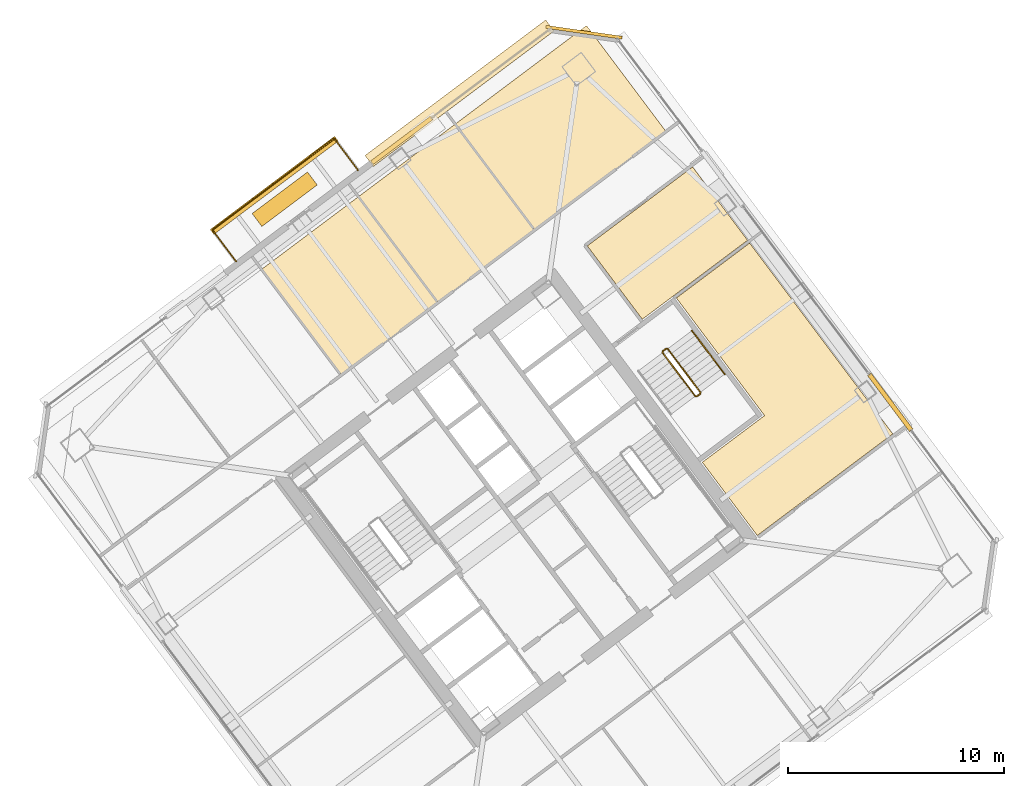
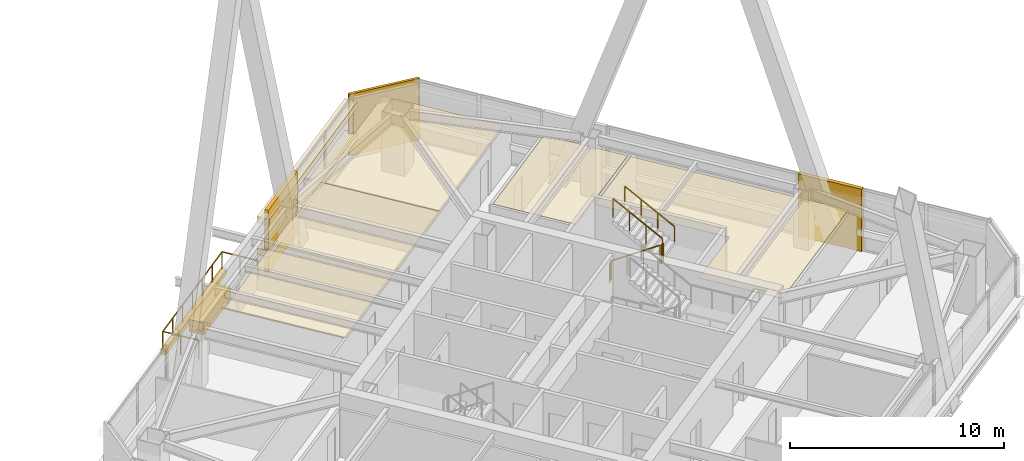
# One storey, part 54 of 55: 12 coverings, 8 railings.
"""IFC4 building model written with IfcOpenShell, lengths in metres."""

from ifc_helpers import new_model, si_unit, direction, frame, origin, origin_2d, place, context, subcontext, project, spatial, polyline, rectangle, outline, extrude, material, layer, layer_set, type_object, element, save


model = new_model("IFC4")

# Units and contexts
model_context = context("Model", 3, precision=1e-05, world=origin(), true_north=direction((0.0, 1.0)))
body_context = subcontext(model_context, "Body", "Model", "MODEL_VIEW")
ifc_project = project(units=[si_unit("LENGTHUNIT", "METRE"), si_unit("AREAUNIT", "SQUARE_METRE"), si_unit("VOLUMEUNIT", "CUBIC_METRE"), si_unit("PLANEANGLEUNIT", "RADIAN"), si_unit("MASSUNIT", "GRAM", prefix="KILO")], contexts=[model_context])

# Site, building, storey
site_placement = place(None, origin())
site = spatial("IfcSite", under=ifc_project, at=site_placement, CompositionType="ELEMENT")
building_placement = place(site_placement, origin())
building = spatial("IfcBuilding", under=site, at=building_placement, Name="Tashvorn Skyway Center", CompositionType="ELEMENT")
storey_placement = place(building_placement, frame((0.0, 0.0, 178.300048828125)))
storey = spatial("IfcBuildingStorey", under=building, at=storey_placement, Name="L48", CompositionType="ELEMENT", Elevation=178.300048828125)

# Coverings
ifc_material_1 = material(Name="Precast concrete C40/50", Category="concrete")
ifc_layer_1 = layer(ifc_material_1, 0.199951171875)
ifc_layer_set_1 = layer_set([ifc_layer_1], Name="Precast concrete C40/50")
covering_type_1 = type_object("IfcCoveringType", Name="COV-BRACE-CLAD", PredefinedType="CLADDING", material=ifc_layer_set_1)
covering_1_placement = place(storey_placement, frame((108.709228515625, 49.007080078125, 0.0), z_axis=(0.0, 0.0, 1.0), x_axis=(0.799999996291, 0.600000004945, 0.0)))
element("IfcCovering", 1, at=covering_1_placement, inside=storey, type_object=covering_type_1, Name="Tower 2 L48 North Curtain Wall R Mega-Brace Cladding Band 1", PredefinedType="CLADDING", context=body_context, shape_type="SweptSolid", body=[
    extrude(rectangle(XDim=3.443359375, YDim=0.199951171875, at=origin_2d()), origin(), (0.0, 0.0, 1.0), 3.550048828125),
])
covering_2_placement = place(storey_placement, frame((131.31201171875, 36.884033203125, 0.0), z_axis=(0.0, 0.0, 1.0), x_axis=(0.600000004945, -0.799999996291, 0.0)))
element("IfcCovering", 2, at=covering_2_placement, inside=storey, type_object=covering_type_1, Name="Tower 2 L48 East Unitised Curtain Wall Mega-Brace Cladding Band 2", PredefinedType="CLADDING", context=body_context, shape_type="SweptSolid", body=[
    extrude(rectangle(XDim=3.239990234375, YDim=0.199951171875, at=origin_2d()), origin(), (0.0, 0.0, 1.0), 3.550048828125),
])
ifc_material_2 = material(Name="Mineral-fibre acoustic ceiling tile on suspended grid")
ifc_layer_2 = layer(ifc_material_2, 0.02001953125)
ifc_layer_set_2 = layer_set([ifc_layer_2], Name="Mineral-fibre acoustic ceiling tile on suspended grid")
covering_type_2 = type_object("IfcCoveringType", Name="COV-CEIL-20", PredefinedType="CEILING", material=ifc_layer_set_2)
covering_3_placement = place(storey_placement, frame((0.0, 0.0, 2.702880859375)))
element("IfcCovering", 3, at=covering_3_placement, inside=storey, type_object=covering_type_2, Name="Tower 2 L48 Reading Lounge Acoustic Ceiling", PredefinedType="CEILING", context=body_context, shape_type="SweptSolid", body=[
    extrude(outline(polyline([(105.89794921875, 38.135986328125), (110.3779296875, 41.49609375), (106.699951171875, 46.39990234375), (102.219970703125, 43.0400390625), (105.89794921875, 38.135986328125)])), origin(), (0.0, 0.0, 1.0), 0.02001953125),
])
covering_4_placement = place(storey_placement, frame((0.0, 0.0, 2.702880859375)))
element("IfcCovering", 4, at=covering_4_placement, inside=storey, type_object=covering_type_2, Name="Tower 2 L48 Research Library Acoustic Ceiling", PredefinedType="CEILING", context=body_context, shape_type="SweptSolid", body=[
    extrude(outline(polyline([(110.3779296875, 41.49609375), (114.85791015625, 44.85595703125), (111.179931640625, 49.760009765625), (106.699951171875, 46.39990234375), (110.3779296875, 41.49609375)])), origin(), (0.0, 0.0, 1.0), 0.02001953125),
])
covering_5_placement = place(storey_placement, frame((0.0, 0.0, 2.702880859375)))
element("IfcCovering", 5, at=covering_5_placement, inside=storey, type_object=covering_type_2, Name="Tower 2 L48 Research Library Acoustic Ceiling", PredefinedType="CEILING", context=body_context, shape_type="SweptSolid", body=[
    extrude(outline(polyline([(114.85791015625, 44.85595703125), (120.93798828125, 49.416015625), (117.260009765625, 54.320068359375), (111.179931640625, 49.760009765625), (114.85791015625, 44.85595703125)])), origin(), (0.0, 0.0, 1.0), 0.02001953125),
])
covering_6_placement = place(storey_placement, frame((0.0, 0.0, 2.702880859375)))
element("IfcCovering", 6, at=covering_6_placement, inside=storey, type_object=covering_type_2, Name="Tower 2 L48 Research Library Acoustic Ceiling", PredefinedType="CEILING", context=body_context, shape_type="SweptSolid", body=[
    extrude(outline(polyline([(119.840087890625, 40.72998046875), (117.2958984375, 44.1220703125), (122.16796875, 47.77587890625), (124.7119140625, 44.384033203125), (119.840087890625, 40.72998046875)])), origin(), (0.0, 0.0, 1.0), 0.02001953125),
])
covering_7_placement = place(storey_placement, frame((0.0, 0.0, 2.702880859375)))
element("IfcCovering", 7, at=covering_7_placement, inside=storey, type_object=covering_type_2, Name="Tower 2 L48 Public Restroom Acoustic Ceiling", PredefinedType="CEILING", context=body_context, shape_type="SweptSolid", body=[
    extrude(outline(polyline([(125.159912109375, 30.719970703125), (122.615966796875, 34.112060546875), (125.49609375, 36.27197265625), (121.416015625, 41.7119140625), (124.80810546875, 44.256103515625), (128.887939453125, 38.81591796875), (131.431884765625, 35.424072265625), (125.159912109375, 30.719970703125)])), origin(), (0.0, 0.0, 1.0), 0.02001953125),
])
ifc_material_3 = material(Name="Perforated ceramic-coated bronze aluminium solar screen", Category="aluminium")
ifc_layer_3 = layer(ifc_material_3, 0.85009765625)
ifc_layer_set_3 = layer_set([ifc_layer_3], Name="Perforated ceramic-coated bronze aluminium solar screen")
covering_type_3 = type_object("IfcCoveringType", Name="COV-SOLAR-BAND", PredefinedType="CLADDING", material=ifc_layer_set_3)
for number, where, z_axis, x_axis, name in (
    (8, (111.3798828125, 51.18505859375, 0.919921875), (0.0, 0.0, 1.0), (0.799999996291, 0.600000004945, 0.0), "L48 Perforated Ceramic-Metal Solar Screen Louvre Band North 1"),
    (9, (111.3798828125, 51.18505859375, 2.7197265625), (0.0, 0.0, 1.0), (0.799999996291, 0.600000004945, 0.0), "L48 Perforated Ceramic-Metal Solar Screen Louvre Band North 2"),
):
    element("IfcCovering", number, at=place(storey_placement, frame(where, z_axis=z_axis, x_axis=x_axis)), inside=storey, type_object=covering_type_3, Name=name, PredefinedType="CLADDING", context=body_context, shape_type="SweptSolid", body=[
        extrude(rectangle(XDim=10.449951171875, YDim=0.639892578125, at=origin_2d()), origin(), (0.0, 0.0, 1.0), 0.360107421875),
    ])
ifc_layer_4 = layer(ifc_material_1, 0.35009765625)
ifc_layer_set_4 = layer_set([ifc_layer_4], Name="Precast concrete C40/50")
covering_type_4 = type_object("IfcCoveringType", Name="COV-STONE-TRIM", PredefinedType="CLADDING", material=ifc_layer_set_4)
covering_8_placement = place(storey_placement, frame((102.803955078125, 46.927978515625, -0.16015625), z_axis=(0.0, 0.0, 1.0), x_axis=(0.799999996291, 0.600000004945, 0.0)))
element("IfcCovering", 10, at=covering_8_placement, inside=storey, type_object=covering_type_4, Name="Tower 2 L48 Spiral Terrace Terracotta Fascia", PredefinedType="CLADDING", context=body_context, shape_type="SweptSolid", body=[
    extrude(rectangle(XDim=7.199951171875, YDim=0.280029296875, at=origin_2d()), origin(), (0.0, 0.0, 1.0), 0.280029296875),
])
covering_9_placement = place(storey_placement, frame((103.2900390625, 46.280029296875, 0.0), z_axis=(0.0, 0.0, 1.0), x_axis=(0.799999996291, 0.600000004945, 0.0)))
element("IfcCovering", 11, at=covering_9_placement, inside=storey, type_object=covering_type_4, Name="Tower 2 L48 Spiral Terrace Planter", PredefinedType="CLADDING", context=body_context, shape_type="SweptSolid", body=[
    extrude(rectangle(XDim=3.199951171875, YDim=0.75, at=origin_2d()), origin(), (0.0, 0.0, 1.0), 0.679931640625),
])
covering_10_placement = place(storey_placement, frame((117.14404296875, 54.008056640625, 0.02001953125), z_axis=(0.0, 0.0, 1.0), x_axis=(0.989949494535, -0.141421350118, 0.0)))
element("IfcCovering", 12, at=covering_10_placement, inside=storey, type_object=covering_type_4, Name="Tower 2 L48 NE Mojave Limestone Corner Quoin", PredefinedType="CLADDING", context=body_context, shape_type="SweptSolid", body=[
    extrude(rectangle(XDim=3.55419921875, YDim=0.139892578125, at=origin_2d()), origin(), (0.0, 0.0, 1.0), 3.510009765625),
])

# Railings
ifc_material_4 = material(Name="Galvanized steel S355", Category="steel")
railing_type_1 = type_object("IfcRailingType", Name="RAIL-GUARD-1120", PredefinedType="GUARDRAIL", material=ifc_material_4)
railing_1_placement = place(storey_placement, frame((101.0439453125, 43.407958984375, 0.0)))
element("IfcRailing", 13, at=railing_1_placement, inside=storey, type_object=railing_type_1, Name="L48 Tower 2 Terrace Guardrail 01", PredefinedType="GUARDRAIL", context=body_context, shape_type="SweptSolid", body=[
    extrude(rectangle(XDim=0.048095703125, YDim=0.048095703125, at=origin_2d()), frame((0.0, 0.0, 1.09619140625), z_axis=(-0.6, 0.8, 0.0), x_axis=(-0.8, -0.6, 0.0)), (0.0, 0.0, 1.0), 1.820068359375),
    extrude(rectangle(XDim=0.0419921875, YDim=0.0419921875, at=origin_2d()), origin(), (0.0, 0.0, 1.0), 1.072021484375),
    extrude(rectangle(XDim=0.0419921875, YDim=0.0419921875, at=origin_2d()), frame((-0.5458984375, 0.72802734375, 0.0)), (0.0, 0.0, 1.0), 1.072021484375),
    extrude(rectangle(XDim=0.0419921875, YDim=0.0419921875, at=origin_2d()), frame((-1.092041015625, 1.4560546875, 0.0)), (0.0, 0.0, 1.0), 1.072021484375),
])
railing_2_placement = place(storey_placement, frame((99.951904296875, 44.864013671875, 0.0)))
element("IfcRailing", 14, at=railing_2_placement, inside=storey, type_object=railing_type_1, Name="L48 Tower 2 Terrace Guardrail 02", PredefinedType="GUARDRAIL", context=body_context, shape_type="SweptSolid", body=[
    extrude(rectangle(XDim=0.048095703125, YDim=0.048095703125, at=origin_2d()), frame((0.0, 0.0, 1.09619140625), z_axis=(0.800012484308, 0.599983353895, 0.0), x_axis=(-0.599983353895, 0.800012484308, 0.0)), (0.0, 0.0, 1.0), 7.0400390625),
    extrude(rectangle(XDim=0.0419921875, YDim=0.0419921875, at=origin_2d()), origin(), (0.0, 0.0, 1.0), 1.072021484375),
    extrude(rectangle(XDim=0.0419921875, YDim=0.0419921875, at=origin_2d()), frame((0.938720703125, 0.7041015625, 0.0)), (0.0, 0.0, 1.0), 1.072021484375),
    extrude(rectangle(XDim=0.0419921875, YDim=0.0419921875, at=origin_2d()), frame((1.87744140625, 1.407958984375, 0.0)), (0.0, 0.0, 1.0), 1.072021484375),
    extrude(rectangle(XDim=0.0419921875, YDim=0.0419921875, at=origin_2d()), frame((2.81591796875, 2.11181640625, 0.0)), (0.0, 0.0, 1.0), 1.072021484375),
    extrude(rectangle(XDim=0.0419921875, YDim=0.0419921875, at=origin_2d()), frame((3.754638671875, 2.81591796875, 0.0)), (0.0, 0.0, 1.0), 1.072021484375),
    extrude(rectangle(XDim=0.0419921875, YDim=0.0419921875, at=origin_2d()), frame((4.693359375, 3.52001953125, 0.0)), (0.0, 0.0, 1.0), 1.072021484375),
    extrude(rectangle(XDim=0.0419921875, YDim=0.0419921875, at=origin_2d()), frame((5.632080078125, 4.223876953125, 0.0)), (0.0, 0.0, 1.0), 1.072021484375),
])
railing_3_placement = place(storey_placement, frame((105.583984375, 49.087890625, 0.0)))
element("IfcRailing", 15, at=railing_3_placement, inside=storey, type_object=railing_type_1, Name="L48 Tower 2 Terrace Guardrail 03", PredefinedType="GUARDRAIL", context=body_context, shape_type="SweptSolid", body=[
    extrude(rectangle(XDim=0.048095703125, YDim=0.048095703125, at=origin_2d()), frame((0.0, 0.0, 1.09619140625), z_axis=(0.600064391284, -0.799951702488, 0.0), x_axis=(0.799951702488, 0.600064391284, 0.0)), (0.0, 0.0, 1.0), 1.81982421875),
    extrude(rectangle(XDim=0.0419921875, YDim=0.0419921875, at=origin_2d()), origin(), (0.0, 0.0, 1.0), 1.072021484375),
    extrude(rectangle(XDim=0.0419921875, YDim=0.0419921875, at=origin_2d()), frame((0.5458984375, -0.72802734375, 0.0)), (0.0, 0.0, 1.0), 1.072021484375),
    extrude(rectangle(XDim=0.0419921875, YDim=0.0419921875, at=origin_2d()), frame((1.092041015625, -1.455810546875, 0.0)), (0.0, 0.0, 1.0), 1.072021484375),
])
ifc_material_5 = material(Name="Brushed stainless steel 316", Category="steel")
railing_type_2 = type_object("IfcRailingType", Name="RAIL-HAND-920", PredefinedType="HANDRAIL", material=ifc_material_5)
railing_4_placement = place(storey_placement, frame((123.64794921875, 38.18603515625, 1.952392578125)))
element("IfcRailing", 16, at=railing_4_placement, inside=storey, type_object=railing_type_2, Name="L48 ST-T2-3 stair handrail 2", PredefinedType="HANDRAIL", context=body_context, shape_type="SweptSolid", body=[
    extrude(rectangle(XDim=0.048095703125, YDim=0.048095703125, at=origin_2d()), frame((0.0, 0.0, 0.8759765625), z_axis=(-0.50674661542, 0.675634878657, 0.535467439255), x_axis=(-0.79998837352, -0.60001550166, 0.0)), (0.0, 0.0, 1.0), 2.983642578125),
    extrude(rectangle(XDim=0.0419921875, YDim=0.0419921875, at=origin_2d()), origin(), (0.0, 0.0, 1.0), 0.851806640625),
    extrude(rectangle(XDim=0.0419921875, YDim=0.0419921875, at=origin_2d()), frame((-0.50390625, 0.671875, 0.532470703125)), (0.0, 0.0, 1.0), 0.851806640625),
    extrude(rectangle(XDim=0.0419921875, YDim=0.0419921875, at=origin_2d()), frame((-1.008056640625, 1.343994140625, 1.065185546875)), (0.0, 0.0, 1.0), 0.851806640625),
    extrude(rectangle(XDim=0.0419921875, YDim=0.0419921875, at=origin_2d()), frame((-1.511962890625, 2.015869140625, 1.59765625)), (0.0, 0.0, 1.0), 0.851806640625),
])
ifc_material_6 = material(Name="Painted galvanized steel S355", Category="steel")
railing_type_3 = type_object("IfcRailingType", Name="RAIL-STGUARD-1100", PredefinedType="GUARDRAIL", material=ifc_material_6)
railing_5_placement = place(storey_placement, frame((120.77587890625, 39.181884765625, 0.177490234375)))
element("IfcRailing", 17, at=railing_5_placement, inside=storey, type_object=railing_type_3, Name="L48 ST-T2-3 stair guard 1", PredefinedType="GUARDRAIL", context=body_context, shape_type="SweptSolid", body=[
    extrude(rectangle(XDim=0.048095703125, YDim=0.048095703125, at=origin_2d()), frame((0.0, 0.0, 1.076171875), z_axis=(0.506829628838, -0.67563646195, 0.535386868177), x_axis=(0.799941867976, 0.600077501544, 0.0)), (0.0, 0.0, 1.0), 2.983642578125),
    extrude(rectangle(XDim=0.0419921875, YDim=0.0419921875, at=origin_2d()), origin(), (0.0, 0.0, 1.0), 1.052001953125),
    extrude(rectangle(XDim=0.0419921875, YDim=0.0419921875, at=origin_2d()), frame((0.504150390625, -0.671875, 0.532470703125)), (0.0, 0.0, 1.0), 1.052001953125),
    extrude(rectangle(XDim=0.0419921875, YDim=0.0419921875, at=origin_2d()), frame((1.008056640625, -1.343994140625, 1.06494140625)), (0.0, 0.0, 1.0), 1.052001953125),
    extrude(rectangle(XDim=0.0419921875, YDim=0.0419921875, at=origin_2d()), frame((1.51220703125, -2.015869140625, 1.597412109375)), (0.0, 0.0, 1.0), 1.052001953125),
])
railing_6_placement = place(storey_placement, frame((122.35791015625, 37.156005859375, 1.77490234375)))
element("IfcRailing", 18, at=railing_6_placement, inside=storey, type_object=railing_type_3, Name="L48 ST-T2-3 stair guard 2", PredefinedType="GUARDRAIL", context=body_context, shape_type="SweptSolid", body=[
    extrude(rectangle(XDim=0.048095703125, YDim=0.048095703125, at=origin_2d()), frame((0.0, 0.0, 1.076171875), z_axis=(0.800585412921, 0.599218655098, 0.0), x_axis=(-0.599218655098, 0.800585412921, 0.0)), (0.0, 0.0, 1.0), 0.199951171875),
    extrude(rectangle(XDim=0.0419921875, YDim=0.0419921875, at=origin_2d()), origin(), (0.0, 0.0, 1.0), 1.052001953125),
    extrude(rectangle(XDim=0.0419921875, YDim=0.0419921875, at=origin_2d()), frame((0.16015625, 0.119873046875, 0.0)), (0.0, 0.0, 1.0), 1.052001953125),
])
railing_7_placement = place(storey_placement, frame((122.528076171875, 37.345947265625, 1.952392578125)))
element("IfcRailing", 19, at=railing_7_placement, inside=storey, type_object=railing_type_3, Name="L48 ST-T2-3 stair guard 3", PredefinedType="GUARDRAIL", context=body_context, shape_type="SweptSolid", body=[
    extrude(rectangle(XDim=0.048095703125, YDim=0.048095703125, at=origin_2d()), frame((0.0, 0.0, 1.076171875), z_axis=(-0.506718600913, 0.675679348675, 0.535437836974), x_axis=(-0.800023250257, -0.599968998406, 0.0)), (0.0, 0.0, 1.0), 2.98388671875),
    extrude(rectangle(XDim=0.0419921875, YDim=0.0419921875, at=origin_2d()), origin(), (0.0, 0.0, 1.0), 1.052001953125),
    extrude(rectangle(XDim=0.0419921875, YDim=0.0419921875, at=origin_2d()), frame((-0.50390625, 0.672119140625, 0.532470703125)), (0.0, 0.0, 1.0), 1.052001953125),
    extrude(rectangle(XDim=0.0419921875, YDim=0.0419921875, at=origin_2d()), frame((-1.008056640625, 1.343994140625, 1.065185546875)), (0.0, 0.0, 1.0), 1.052001953125),
    extrude(rectangle(XDim=0.0419921875, YDim=0.0419921875, at=origin_2d()), frame((-1.511962890625, 2.01611328125, 1.59765625)), (0.0, 0.0, 1.0), 1.052001953125),
])
railing_8_placement = place(storey_placement, frame((120.785888671875, 39.251953125, 0.0)))
element("IfcRailing", 20, at=railing_8_placement, inside=storey, type_object=railing_type_3, Name="L48 ST-T2-3 stair guard 4", PredefinedType="GUARDRAIL", context=body_context, shape_type="SweptSolid", body=[
    extrude(rectangle(XDim=0.048095703125, YDim=0.048095703125, at=origin_2d()), frame((0.0, 0.0, 1.076171875), z_axis=(0.8, 0.6, 0.0), x_axis=(-0.6, 0.8, 0.0)), (0.0, 0.0, 1.0), 0.2001953125),
    extrude(rectangle(XDim=0.0419921875, YDim=0.0419921875, at=origin_2d()), origin(), (0.0, 0.0, 1.0), 1.052001953125),
    extrude(rectangle(XDim=0.0419921875, YDim=0.0419921875, at=origin_2d()), frame((0.16015625, 0.1201171875, 0.0)), (0.0, 0.0, 1.0), 1.052001953125),
])

save(model, "model.ifc")
